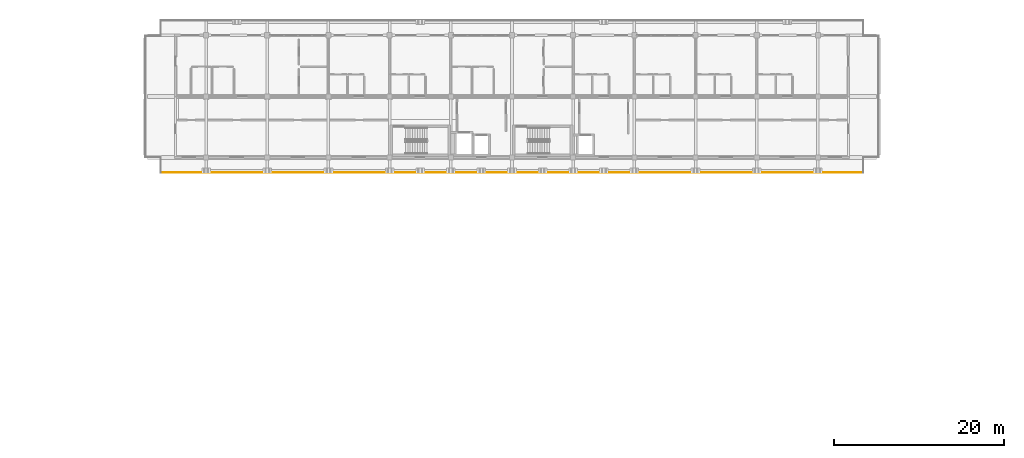
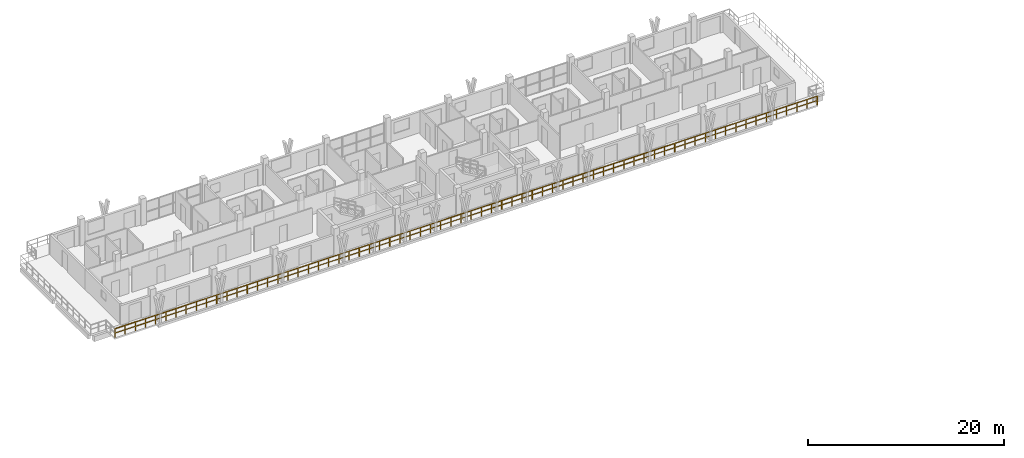
# One storey, part 51 of 60: 1 railing.
"""IFC4 building model written with IfcOpenShell, lengths in metres."""

from ifc_helpers import new_model, si_unit, direction, frame, origin, origin_2d, place, context, subcontext, project, spatial, rectangle, extrude, material, type_object, element, save


model = new_model("IFC4")

# Units and contexts
model_context = context("Model", 3, precision=1e-05, world=origin(), true_north=direction((0.0, 1.0)))
body_context = subcontext(model_context, "Body", "Model", "MODEL_VIEW")
ifc_project = project(units=[si_unit("LENGTHUNIT", "METRE"), si_unit("AREAUNIT", "SQUARE_METRE"), si_unit("VOLUMEUNIT", "CUBIC_METRE"), si_unit("PLANEANGLEUNIT", "RADIAN"), si_unit("MASSUNIT", "GRAM", prefix="KILO")], contexts=[model_context])

# Site, building, storey
site_placement = place(None, origin())
site = spatial("IfcSite", under=ifc_project, at=site_placement, CompositionType="ELEMENT")
building_placement = place(site_placement, origin())
building = spatial("IfcBuilding", under=site, at=building_placement, Name="Suanplinth Sawtooth Commons", CompositionType="ELEMENT")
storey_placement = place(building_placement, frame((0.0, 0.0, 31.5)))
storey = spatial("IfcBuildingStorey", under=building, at=storey_placement, Name="L09", CompositionType="ELEMENT", Elevation=31.5)

# Railing
ifc_material = material(Name="Powder-coated galvanized steel", Category="steel")
railing_type = type_object("IfcRailingType", Name="GR-01", PredefinedType="BALUSTRADE", material=ifc_material)
railing_placement = place(storey_placement, frame((98.93994140625, 106.260009765625, 0.0)))
element("IfcRailing", 1, at=railing_placement, inside=storey, type_object=railing_type, Name="L09 Block A Perimeter Balustrade 11", PredefinedType="BALUSTRADE", context=body_context, shape_type="SweptSolid", body=[
    extrude(rectangle(XDim=0.048095703125, YDim=0.048095703125, at=origin_2d()), frame((0.0, 0.0, 1.09619140625), z_axis=(-1.0, 0.0, 0.0), x_axis=(0.0, -1.0, 0.0)), (0.0, 0.0, 1.0), 82.679931640625),
    extrude(rectangle(XDim=0.03369140625, YDim=0.03369140625, at=origin_2d()), frame((0.0, 0.0, 0.56005859375), z_axis=(-1.0, 0.0, 0.0), x_axis=(0.0, -1.0, 0.0)), (0.0, 0.0, 1.0), 82.679931640625),
    extrude(rectangle(XDim=0.0419921875, YDim=0.0419921875, at=origin_2d()), origin(), (0.0, 0.0, 1.0), 1.072021484375),
    extrude(rectangle(XDim=0.0419921875, YDim=0.0419921875, at=origin_2d()), frame((-1.1982421875, 0.0, 0.0)), (0.0, 0.0, 1.0), 1.072021484375),
    extrude(rectangle(XDim=0.0419921875, YDim=0.0419921875, at=origin_2d()), frame((-2.396484375, 0.0, 0.0)), (0.0, 0.0, 1.0), 1.072021484375),
    extrude(rectangle(XDim=0.0419921875, YDim=0.0419921875, at=origin_2d()), frame((-3.5947265625, 0.0, 0.0)), (0.0, 0.0, 1.0), 1.072021484375),
    extrude(rectangle(XDim=0.0419921875, YDim=0.0419921875, at=origin_2d()), frame((-4.79296875, 0.0, 0.0)), (0.0, 0.0, 1.0), 1.072021484375),
    extrude(rectangle(XDim=0.0419921875, YDim=0.0419921875, at=origin_2d()), frame((-5.9912109375, 0.0, 0.0)), (0.0, 0.0, 1.0), 1.072021484375),
    extrude(rectangle(XDim=0.0419921875, YDim=0.0419921875, at=origin_2d()), frame((-7.189453125, 0.0, 0.0)), (0.0, 0.0, 1.0), 1.072021484375),
    extrude(rectangle(XDim=0.0419921875, YDim=0.0419921875, at=origin_2d()), frame((-8.387939453125, 0.0, 0.0)), (0.0, 0.0, 1.0), 1.072021484375),
    extrude(rectangle(XDim=0.0419921875, YDim=0.0419921875, at=origin_2d()), frame((-9.586181640625, 0.0, 0.0)), (0.0, 0.0, 1.0), 1.072021484375),
    extrude(rectangle(XDim=0.0419921875, YDim=0.0419921875, at=origin_2d()), frame((-10.784423828125, 0.0, 0.0)), (0.0, 0.0, 1.0), 1.072021484375),
    extrude(rectangle(XDim=0.0419921875, YDim=0.0419921875, at=origin_2d()), frame((-11.982666015625, 0.0, 0.0)), (0.0, 0.0, 1.0), 1.072021484375),
    extrude(rectangle(XDim=0.0419921875, YDim=0.0419921875, at=origin_2d()), frame((-13.180908203125, 0.0, 0.0)), (0.0, 0.0, 1.0), 1.072021484375),
    extrude(rectangle(XDim=0.0419921875, YDim=0.0419921875, at=origin_2d()), frame((-14.379150390625, 0.0, 0.0)), (0.0, 0.0, 1.0), 1.072021484375),
    extrude(rectangle(XDim=0.0419921875, YDim=0.0419921875, at=origin_2d()), frame((-15.577392578125, 0.0, 0.0)), (0.0, 0.0, 1.0), 1.072021484375),
    extrude(rectangle(XDim=0.0419921875, YDim=0.0419921875, at=origin_2d()), frame((-16.775634765625, 0.0, 0.0)), (0.0, 0.0, 1.0), 1.072021484375),
    extrude(rectangle(XDim=0.0419921875, YDim=0.0419921875, at=origin_2d()), frame((-17.973876953125, 0.0, 0.0)), (0.0, 0.0, 1.0), 1.072021484375),
    extrude(rectangle(XDim=0.0419921875, YDim=0.0419921875, at=origin_2d()), frame((-19.172119140625, 0.0, 0.0)), (0.0, 0.0, 1.0), 1.072021484375),
    extrude(rectangle(XDim=0.0419921875, YDim=0.0419921875, at=origin_2d()), frame((-20.370361328125, 0.0, 0.0)), (0.0, 0.0, 1.0), 1.072021484375),
    extrude(rectangle(XDim=0.0419921875, YDim=0.0419921875, at=origin_2d()), frame((-21.568603515625, 0.0, 0.0)), (0.0, 0.0, 1.0), 1.072021484375),
    extrude(rectangle(XDim=0.0419921875, YDim=0.0419921875, at=origin_2d()), frame((-22.766845703125, 0.0, 0.0)), (0.0, 0.0, 1.0), 1.072021484375),
    extrude(rectangle(XDim=0.0419921875, YDim=0.0419921875, at=origin_2d()), frame((-23.965087890625, 0.0, 0.0)), (0.0, 0.0, 1.0), 1.072021484375),
    extrude(rectangle(XDim=0.0419921875, YDim=0.0419921875, at=origin_2d()), frame((-25.16357421875, 0.0, 0.0)), (0.0, 0.0, 1.0), 1.072021484375),
    extrude(rectangle(XDim=0.0419921875, YDim=0.0419921875, at=origin_2d()), frame((-26.36181640625, 0.0, 0.0)), (0.0, 0.0, 1.0), 1.072021484375),
    extrude(rectangle(XDim=0.0419921875, YDim=0.0419921875, at=origin_2d()), frame((-27.56005859375, 0.0, 0.0)), (0.0, 0.0, 1.0), 1.072021484375),
    extrude(rectangle(XDim=0.0419921875, YDim=0.0419921875, at=origin_2d()), frame((-28.75830078125, 0.0, 0.0)), (0.0, 0.0, 1.0), 1.072021484375),
    extrude(rectangle(XDim=0.0419921875, YDim=0.0419921875, at=origin_2d()), frame((-29.95654296875, 0.0, 0.0)), (0.0, 0.0, 1.0), 1.072021484375),
    extrude(rectangle(XDim=0.0419921875, YDim=0.0419921875, at=origin_2d()), frame((-31.15478515625, 0.0, 0.0)), (0.0, 0.0, 1.0), 1.072021484375),
    extrude(rectangle(XDim=0.0419921875, YDim=0.0419921875, at=origin_2d()), frame((-32.35302734375, 0.0, 0.0)), (0.0, 0.0, 1.0), 1.072021484375),
    extrude(rectangle(XDim=0.0419921875, YDim=0.0419921875, at=origin_2d()), frame((-33.55126953125, 0.0, 0.0)), (0.0, 0.0, 1.0), 1.072021484375),
    extrude(rectangle(XDim=0.0419921875, YDim=0.0419921875, at=origin_2d()), frame((-34.74951171875, 0.0, 0.0)), (0.0, 0.0, 1.0), 1.072021484375),
    extrude(rectangle(XDim=0.0419921875, YDim=0.0419921875, at=origin_2d()), frame((-35.94775390625, 0.0, 0.0)), (0.0, 0.0, 1.0), 1.072021484375),
    extrude(rectangle(XDim=0.0419921875, YDim=0.0419921875, at=origin_2d()), frame((-37.14599609375, 0.0, 0.0)), (0.0, 0.0, 1.0), 1.072021484375),
    extrude(rectangle(XDim=0.0419921875, YDim=0.0419921875, at=origin_2d()), frame((-38.34423828125, 0.0, 0.0)), (0.0, 0.0, 1.0), 1.072021484375),
    extrude(rectangle(XDim=0.0419921875, YDim=0.0419921875, at=origin_2d()), frame((-39.54248046875, 0.0, 0.0)), (0.0, 0.0, 1.0), 1.072021484375),
    extrude(rectangle(XDim=0.0419921875, YDim=0.0419921875, at=origin_2d()), frame((-40.74072265625, 0.0, 0.0)), (0.0, 0.0, 1.0), 1.072021484375),
    extrude(rectangle(XDim=0.0419921875, YDim=0.0419921875, at=origin_2d()), frame((-41.939208984375, 0.0, 0.0)), (0.0, 0.0, 1.0), 1.072021484375),
    extrude(rectangle(XDim=0.0419921875, YDim=0.0419921875, at=origin_2d()), frame((-43.137451171875, 0.0, 0.0)), (0.0, 0.0, 1.0), 1.072021484375),
    extrude(rectangle(XDim=0.0419921875, YDim=0.0419921875, at=origin_2d()), frame((-44.335693359375, 0.0, 0.0)), (0.0, 0.0, 1.0), 1.072021484375),
    extrude(rectangle(XDim=0.0419921875, YDim=0.0419921875, at=origin_2d()), frame((-45.533935546875, 0.0, 0.0)), (0.0, 0.0, 1.0), 1.072021484375),
    extrude(rectangle(XDim=0.0419921875, YDim=0.0419921875, at=origin_2d()), frame((-46.732177734375, 0.0, 0.0)), (0.0, 0.0, 1.0), 1.072021484375),
    extrude(rectangle(XDim=0.0419921875, YDim=0.0419921875, at=origin_2d()), frame((-47.930419921875, 0.0, 0.0)), (0.0, 0.0, 1.0), 1.072021484375),
    extrude(rectangle(XDim=0.0419921875, YDim=0.0419921875, at=origin_2d()), frame((-49.128662109375, 0.0, 0.0)), (0.0, 0.0, 1.0), 1.072021484375),
    extrude(rectangle(XDim=0.0419921875, YDim=0.0419921875, at=origin_2d()), frame((-50.326904296875, 0.0, 0.0)), (0.0, 0.0, 1.0), 1.072021484375),
    extrude(rectangle(XDim=0.0419921875, YDim=0.0419921875, at=origin_2d()), frame((-51.525146484375, 0.0, 0.0)), (0.0, 0.0, 1.0), 1.072021484375),
    extrude(rectangle(XDim=0.0419921875, YDim=0.0419921875, at=origin_2d()), frame((-52.723388671875, 0.0, 0.0)), (0.0, 0.0, 1.0), 1.072021484375),
    extrude(rectangle(XDim=0.0419921875, YDim=0.0419921875, at=origin_2d()), frame((-53.921630859375, 0.0, 0.0)), (0.0, 0.0, 1.0), 1.072021484375),
    extrude(rectangle(XDim=0.0419921875, YDim=0.0419921875, at=origin_2d()), frame((-55.119873046875, 0.0, 0.0)), (0.0, 0.0, 1.0), 1.072021484375),
    extrude(rectangle(XDim=0.0419921875, YDim=0.0419921875, at=origin_2d()), frame((-56.318115234375, 0.0, 0.0)), (0.0, 0.0, 1.0), 1.072021484375),
    extrude(rectangle(XDim=0.0419921875, YDim=0.0419921875, at=origin_2d()), frame((-57.516357421875, 0.0, 0.0)), (0.0, 0.0, 1.0), 1.072021484375),
    extrude(rectangle(XDim=0.0419921875, YDim=0.0419921875, at=origin_2d()), frame((-58.71484375, 0.0, 0.0)), (0.0, 0.0, 1.0), 1.072021484375),
    extrude(rectangle(XDim=0.0419921875, YDim=0.0419921875, at=origin_2d()), frame((-59.9130859375, 0.0, 0.0)), (0.0, 0.0, 1.0), 1.072021484375),
    extrude(rectangle(XDim=0.0419921875, YDim=0.0419921875, at=origin_2d()), frame((-61.111328125, 0.0, 0.0)), (0.0, 0.0, 1.0), 1.072021484375),
    extrude(rectangle(XDim=0.0419921875, YDim=0.0419921875, at=origin_2d()), frame((-62.3095703125, 0.0, 0.0)), (0.0, 0.0, 1.0), 1.072021484375),
    extrude(rectangle(XDim=0.0419921875, YDim=0.0419921875, at=origin_2d()), frame((-63.5078125, 0.0, 0.0)), (0.0, 0.0, 1.0), 1.072021484375),
    extrude(rectangle(XDim=0.0419921875, YDim=0.0419921875, at=origin_2d()), frame((-64.7060546875, 0.0, 0.0)), (0.0, 0.0, 1.0), 1.072021484375),
    extrude(rectangle(XDim=0.0419921875, YDim=0.0419921875, at=origin_2d()), frame((-65.904296875, 0.0, 0.0)), (0.0, 0.0, 1.0), 1.072021484375),
    extrude(rectangle(XDim=0.0419921875, YDim=0.0419921875, at=origin_2d()), frame((-67.1025390625, 0.0, 0.0)), (0.0, 0.0, 1.0), 1.072021484375),
    extrude(rectangle(XDim=0.0419921875, YDim=0.0419921875, at=origin_2d()), frame((-68.30078125, 0.0, 0.0)), (0.0, 0.0, 1.0), 1.072021484375),
    extrude(rectangle(XDim=0.0419921875, YDim=0.0419921875, at=origin_2d()), frame((-69.4990234375, 0.0, 0.0)), (0.0, 0.0, 1.0), 1.072021484375),
    extrude(rectangle(XDim=0.0419921875, YDim=0.0419921875, at=origin_2d()), frame((-70.697265625, 0.0, 0.0)), (0.0, 0.0, 1.0), 1.072021484375),
    extrude(rectangle(XDim=0.0419921875, YDim=0.0419921875, at=origin_2d()), frame((-71.8955078125, 0.0, 0.0)), (0.0, 0.0, 1.0), 1.072021484375),
    extrude(rectangle(XDim=0.0419921875, YDim=0.0419921875, at=origin_2d()), frame((-73.09375, 0.0, 0.0)), (0.0, 0.0, 1.0), 1.072021484375),
    extrude(rectangle(XDim=0.0419921875, YDim=0.0419921875, at=origin_2d()), frame((-74.2919921875, 0.0, 0.0)), (0.0, 0.0, 1.0), 1.072021484375),
    extrude(rectangle(XDim=0.0419921875, YDim=0.0419921875, at=origin_2d()), frame((-75.490478515625, 0.0, 0.0)), (0.0, 0.0, 1.0), 1.072021484375),
    extrude(rectangle(XDim=0.0419921875, YDim=0.0419921875, at=origin_2d()), frame((-76.688720703125, 0.0, 0.0)), (0.0, 0.0, 1.0), 1.072021484375),
    extrude(rectangle(XDim=0.0419921875, YDim=0.0419921875, at=origin_2d()), frame((-77.886962890625, 0.0, 0.0)), (0.0, 0.0, 1.0), 1.072021484375),
    extrude(rectangle(XDim=0.0419921875, YDim=0.0419921875, at=origin_2d()), frame((-79.085205078125, 0.0, 0.0)), (0.0, 0.0, 1.0), 1.072021484375),
    extrude(rectangle(XDim=0.0419921875, YDim=0.0419921875, at=origin_2d()), frame((-80.283447265625, 0.0, 0.0)), (0.0, 0.0, 1.0), 1.072021484375),
    extrude(rectangle(XDim=0.0419921875, YDim=0.0419921875, at=origin_2d()), frame((-81.481689453125, 0.0, 0.0)), (0.0, 0.0, 1.0), 1.072021484375),
    extrude(rectangle(XDim=0.0419921875, YDim=0.0419921875, at=origin_2d()), frame((-82.679931640625, 0.0, 0.0)), (0.0, 0.0, 1.0), 1.072021484375),
])

save(model, "model.ifc")
